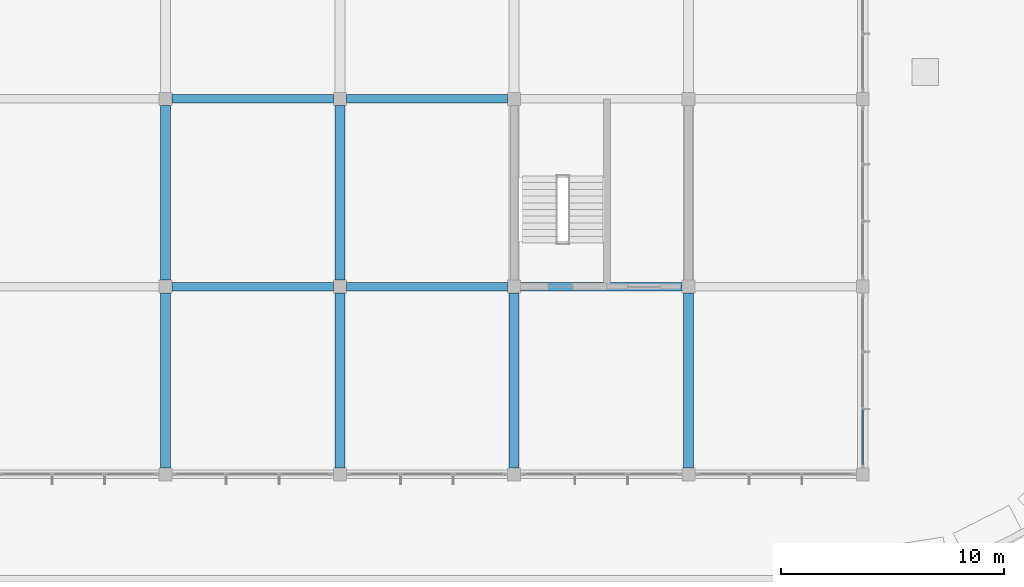
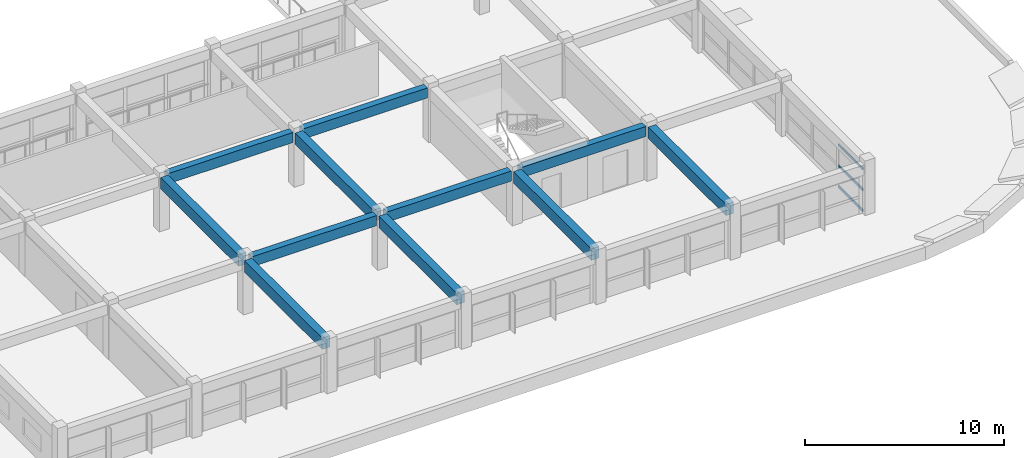
# One storey, part 54 of 101: 11 beams, 3 members, 1 element without a shape of its own.
"""IFC4 building model written with IfcOpenShell, lengths in metres."""

from ifc_helpers import new_model, si_unit, direction, frame, origin, origin_2d, place, context, subcontext, project, spatial, rectangle, hollow_rectangle, extrude, material, layer, layer_set, material_profile, profile_set, type_object, element, aggregate, save


model = new_model("IFC4")

# Units and contexts
model_context = context("Model", 3, precision=1e-05, world=origin(), true_north=direction((0.0, 1.0)))
body_context = subcontext(model_context, "Body", "Model", "MODEL_VIEW")
ifc_project = project(units=[si_unit("LENGTHUNIT", "METRE"), si_unit("AREAUNIT", "SQUARE_METRE"), si_unit("VOLUMEUNIT", "CUBIC_METRE"), si_unit("PLANEANGLEUNIT", "RADIAN"), si_unit("MASSUNIT", "GRAM", prefix="KILO")], contexts=[model_context])

# Site, building, storey
site_placement = place(None, origin())
site = spatial("IfcSite", under=ifc_project, at=site_placement, CompositionType="ELEMENT")
building_placement = place(site_placement, origin())
building = spatial("IfcBuilding", under=site, at=building_placement, Name="Zizhar Promenade General Hospital", CompositionType="ELEMENT")
storey_placement = place(building_placement, frame((0.0, 0.0, 14.39990234375)))
storey = spatial("IfcBuildingStorey", under=building, at=storey_placement, Name="L03", CompositionType="ELEMENT", Elevation=14.39990234375)

# Beams
ifc_material_1 = material(Name="Concrete C35/45", Category="concrete")
ifc_material_profile_1 = material_profile(ifc_material_1, rectangle(XDim=0.3798828125, YDim=0.6201171875, at=origin_2d()))
ifc_profile_set_1 = profile_set([ifc_material_profile_1], Name="Concrete C35/45")
beam_type_1 = type_object("IfcBeamType", Name="BM-RC-380x620", PredefinedType="JOIST", material=ifc_profile_set_1)
for number, where, z_axis, x_axis, name in (
    (1, (156.2900390625, 50.39990234375, 3.0), (1.0, 0.0, 0.0), (0.0, 1.0, 0.0), "Grid Beam X L03 (20-6)"),
    (2, (156.2900390625, 58.800048828125, 3.0), (1.0, 0.0, 0.0), (0.0, 1.0, 0.0), "Grid Beam X L03 (20-7)"),
    (3, (164.090087890625, 50.39990234375, 3.0), (1.0, 0.0, 0.0), (0.0, 1.0, 0.0), "Grid Beam X L03 (21-6)"),
    (4, (164.090087890625, 58.800048828125, 3.0), (1.0, 0.0, 0.0), (0.0, 1.0, 0.0), "Grid Beam X L03 (21-7)"),
):
    element("IfcBeam", number, at=place(storey_placement, frame(where, z_axis=z_axis, x_axis=x_axis)), inside=storey, type_object=beam_type_1, Name=name, PredefinedType="JOIST", context=body_context, shape_type="SweptSolid", body=[
        extrude(rectangle(XDim=0.3798828125, YDim=0.6201171875, at=origin_2d()), origin(), (0.0, 0.0, 1.0), 7.219970703125),
    ])
beam_placement = place(storey_placement, frame((171.889892578125, 50.39990234375, 3.0), z_axis=(1.0, 0.0, 0.0), x_axis=(0.0, 1.0, 0.0)))
element("IfcBeam", 5, at=beam_placement, inside=storey, type_object=beam_type_1, Name="Grid Beam X L03 (22-6)", PredefinedType="JOIST", context=body_context, shape_type="SweptSolid", body=[
    extrude(rectangle(XDim=0.3798828125, YDim=0.6201171875, at=origin_2d()), origin(), (0.0, 0.0, 1.0), 7.22021484375),
])
ifc_material_2 = material(Name="Concrete C35/45", Category="concrete")
ifc_material_profile_2 = material_profile(ifc_material_2, rectangle(XDim=0.449951171875, YDim=0.699951171875, at=origin_2d()))
ifc_profile_set_2 = profile_set([ifc_material_profile_2], Name="Concrete C35/45")
beam_type_2 = type_object("IfcBeamType", Name="BM-RC-450x700", PredefinedType="BEAM", material=ifc_profile_set_2)
for number, where, z_axis, x_axis, name in (
    (6, (156.0, 42.2900390625, 2.960205078125), (0.0, 1.0, 0.0), (-1.0, 0.0, 0.0), "Grid Beam Y L03 (20-5)"),
    (7, (156.0, 50.68994140625, 2.960205078125), (0.0, 1.0, 0.0), (-1.0, 0.0, 0.0), "Grid Beam Y L03 (20-6)"),
    (8, (163.800048828125, 42.2900390625, 2.960205078125), (0.0, 1.0, 0.0), (-1.0, 0.0, 0.0), "Grid Beam Y L03 (21-5)"),
    (9, (163.800048828125, 50.68994140625, 2.960205078125), (0.0, 1.0, 0.0), (-1.0, 0.0, 0.0), "Grid Beam Y L03 (21-6)"),
    (10, (171.60009765625, 42.2900390625, 2.960205078125), (0.0, 1.0, 0.0), (-1.0, 0.0, 0.0), "Grid Beam Y L03 (22-5)"),
    (11, (179.39990234375, 42.2900390625, 2.960205078125), (0.0, 1.0, 0.0), (-1.0, 0.0, 0.0), "Grid Beam Y L03 (23-5)"),
):
    element("IfcBeam", number, at=place(storey_placement, frame(where, z_axis=z_axis, x_axis=x_axis)), inside=storey, type_object=beam_type_2, Name=name, PredefinedType="BEAM", context=body_context, shape_type="SweptSolid", body=[
        extrude(rectangle(XDim=0.449951171875, YDim=0.699951171875, at=origin_2d()), origin(), (0.0, 0.0, 1.0), 7.820068359375),
    ])

# Curtain wall, members
ifc_material_3 = material(Name="Anodised aluminium 6063-T6 and low-E glass", Category="aluminium")
ifc_layer = layer(ifc_material_3, 0.159912109375)
ifc_layer_set = layer_set([ifc_layer], Name="Anodised aluminium 6063-T6 and low-E glass")
curtain_wall_type = type_object("IfcCurtainWallType", Name="CW-CLN-L03", PredefinedType="NOTDEFINED", material=ifc_layer_set)
curtain_wall_placement = place(storey_placement, origin())
curtain_wall = element("IfcCurtainWall", 12, at=curtain_wall_placement, inside=storey, type_object=curtain_wall_type, Name="L03 Clinic Pavilion East Glazing 5", PredefinedType="NOTDEFINED")
ifc_material_4 = material(Name="Anodised aluminium 6063-T6", Category="aluminium")
ifc_material_profile_3 = material_profile(ifc_material_4, hollow_rectangle(XDim=0.06005859375, YDim=0.14990234375, WallThickness=0.00390625, at=origin_2d()))
ifc_profile_set_3 = profile_set([ifc_material_profile_3], Name="Anodised aluminium 6063-T6")
member_type = type_object("IfcMemberType", Name="CWT-ALU-150x60", PredefinedType="USERDEFINED", material=ifc_profile_set_3)
member_1_placement = place(storey_placement, frame((187.199951171875, 44.8798828125, 0.030029296875), z_axis=(0.0, -1.0, 0.0), x_axis=(1.0, 0.0, 0.0)))
member_1 = element("IfcMember", 13, at=member_1_placement, type_object=member_type, Name="CW-11 transom 3.1", ObjectType="TRANSOM", PredefinedType="USERDEFINED", context=body_context, shape_type="SweptSolid", body=[
    extrude(hollow_rectangle(XDim=0.06005859375, YDim=0.14990234375, WallThickness=0.00390625, at=origin_2d()), origin(), (0.0, 0.0, 1.0), 2.43994140625),
])
member_2_placement = place(storey_placement, frame((187.199951171875, 44.8798828125, 1.31005859375), z_axis=(0.0, -1.0, 0.0), x_axis=(1.0, 0.0, 0.0)))
member_2 = element("IfcMember", 14, at=member_2_placement, type_object=member_type, Name="CW-11 transom 3.2", ObjectType="TRANSOM", PredefinedType="USERDEFINED", context=body_context, shape_type="SweptSolid", body=[
    extrude(hollow_rectangle(XDim=0.06005859375, YDim=0.14990234375, WallThickness=0.00390625, at=origin_2d()), origin(), (0.0, 0.0, 1.0), 2.43994140625),
])
member_3_placement = place(storey_placement, frame((187.199951171875, 44.8798828125, 2.590087890625), z_axis=(0.0, -1.0, 0.0), x_axis=(1.0, 0.0, 0.0)))
member_3 = element("IfcMember", 15, at=member_3_placement, type_object=member_type, Name="CW-11 transom 3.3", ObjectType="TRANSOM", PredefinedType="USERDEFINED", context=body_context, shape_type="SweptSolid", body=[
    extrude(hollow_rectangle(XDim=0.06005859375, YDim=0.14990234375, WallThickness=0.00390625, at=origin_2d()), origin(), (0.0, 0.0, 1.0), 2.43994140625),
])
aggregate(curtain_wall, [member_1, member_2, member_3])

save(model, "model.ifc")
